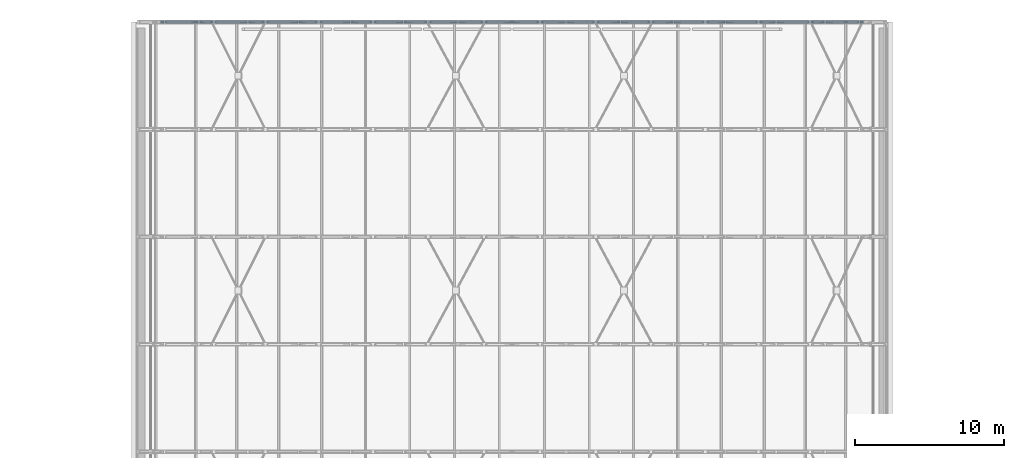
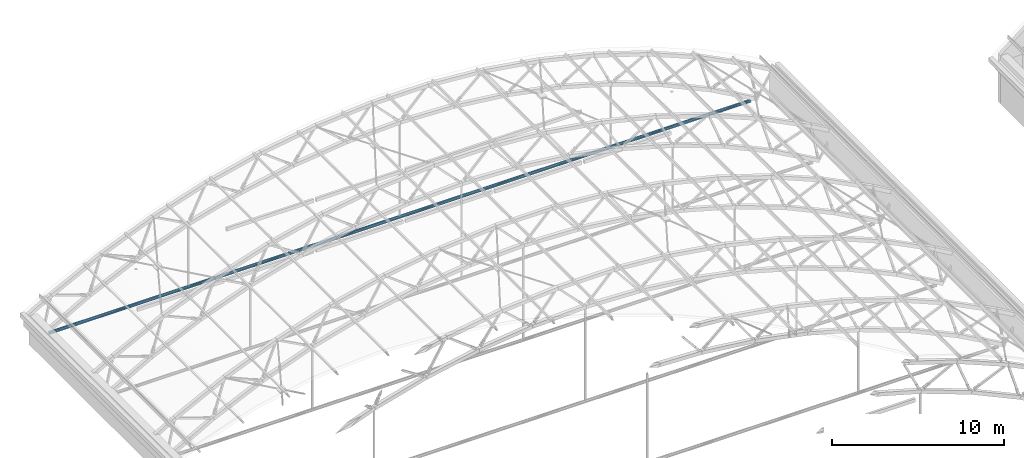
# One storey, part 30 of 127: 1 member.
"""IFC4 building model written with IfcOpenShell, lengths in metres."""

from ifc_helpers import new_model, si_unit, direction, frame, origin, origin_2d, place, context, subcontext, project, spatial, hollow_circle, extrude, material, material_profile, profile_set, type_object, element, save


model = new_model("IFC4")

# Units and contexts
model_context = context("Model", 3, precision=1e-05, world=origin(), true_north=direction((0.0, 1.0)))
body_context = subcontext(model_context, "Body", "Model", "MODEL_VIEW")
ifc_project = project(units=[si_unit("LENGTHUNIT", "METRE"), si_unit("AREAUNIT", "SQUARE_METRE"), si_unit("VOLUMEUNIT", "CUBIC_METRE"), si_unit("PLANEANGLEUNIT", "RADIAN"), si_unit("MASSUNIT", "GRAM", prefix="KILO")], contexts=[model_context])

# Site, building, storey
site_placement = place(None, origin())
site = spatial("IfcSite", under=ifc_project, at=site_placement, CompositionType="ELEMENT")
building_placement = place(site_placement, origin())
building = spatial("IfcBuilding", under=site, at=building_placement, Name="Verrick Yard Athletic Hall", CompositionType="ELEMENT")
storey_placement = place(building_placement, frame((0.0, 0.0, 14.0)))
storey = spatial("IfcBuildingStorey", under=building, at=storey_placement, Name="L03", CompositionType="ELEMENT", Elevation=14.0)

# Member
ifc_material = material(Name="Structural steel HSS Class C 350W (CSA G40.20/G40.21)", Category="steel")
ifc_material_profile = material_profile(ifc_material, hollow_circle(Radius=0.109619140625, WallThickness=0.0126953125, at=origin_2d()), Name="HSS219x13")
ifc_profile_set = profile_set([ifc_material_profile], Name="Structural steel HSS Class C 350W (CSA G40.20/G40.21)")
member_type = type_object("IfcMemberType", Name="HB tie rod HSS219x13", PredefinedType="MEMBER", material=ifc_profile_set)
member_placement = place(storey_placement, frame((28.456298828125, 108.0, 0.0), z_axis=(1.0, 0.0, 0.0), x_axis=(0.0, 1.0, 0.0)))
element("IfcMember", 1, at=member_placement, inside=storey, type_object=member_type, Name="Truss TB6 tie 1", PredefinedType="MEMBER", context=body_context, shape_type="SweptSolid", body=[
    extrude(hollow_circle(Radius=0.109619140625, WallThickness=0.0126953125, at=origin_2d()), origin(), (0.0, 0.0, 1.0), 47.08740234375),
])

save(model, "model.ifc")
